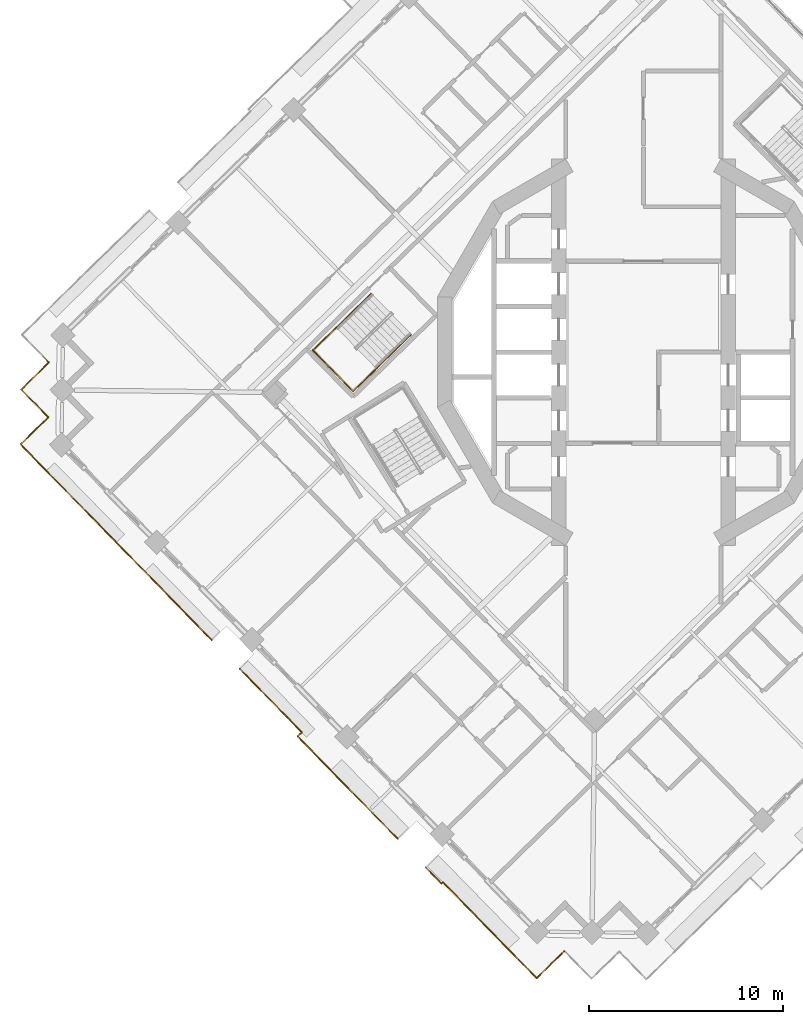
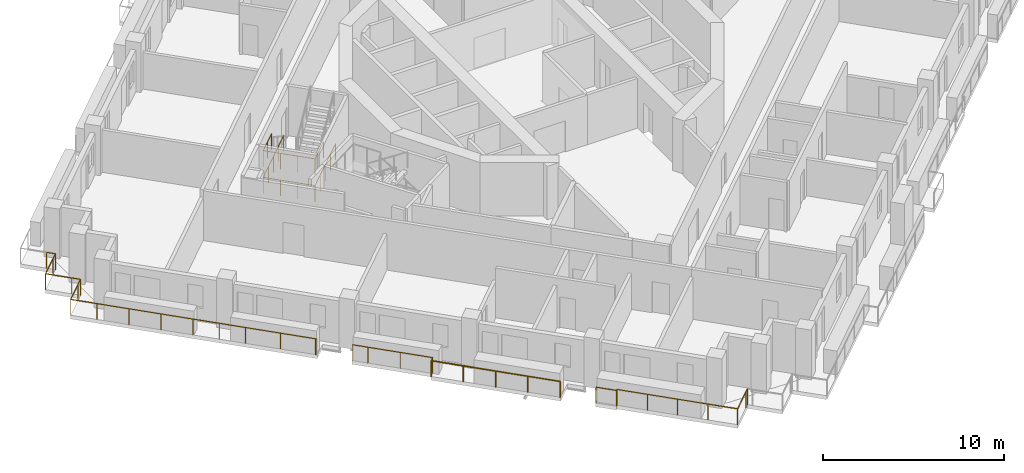
# One storey, part 15 of 20: 6 railings.
"""IFC4 building model written with IfcOpenShell, lengths in metres."""

from ifc_helpers import new_model, si_unit, direction, frame, origin, origin_2d, place, context, subcontext, project, spatial, circle, extrude, material, type_object, element, save


model = new_model("IFC4")

# Units and contexts
model_context = context("Model", 3, precision=1e-05, world=origin(), true_north=direction((0.0, 1.0)))
body_context = subcontext(model_context, "Body", "Model", "MODEL_VIEW")
ifc_project = project(units=[si_unit("LENGTHUNIT", "METRE"), si_unit("AREAUNIT", "SQUARE_METRE"), si_unit("VOLUMEUNIT", "CUBIC_METRE"), si_unit("PLANEANGLEUNIT", "RADIAN"), si_unit("MASSUNIT", "GRAM", prefix="KILO")], contexts=[model_context])

# Site, building, storey
site_placement = place(None, origin())
site = spatial("IfcSite", under=ifc_project, at=site_placement, CompositionType="ELEMENT")
building_placement = place(site_placement, origin())
building = spatial("IfcBuilding", under=site, at=building_placement, Name="Cantera Rosa Tower", CompositionType="ELEMENT")
storey_placement = place(building_placement, frame((0.0, 0.0, 212.60009765625)))
storey = spatial("IfcBuildingStorey", under=building, at=storey_placement, Name="L45", CompositionType="ELEMENT", Elevation=212.60009765625)

# Railings
ifc_material_1 = material(Name="Stainless steel and laminated glass", Category="steel")
railing_type_1 = type_object("IfcRailingType", Name="GUARD 1100", PredefinedType="BALUSTRADE", material=ifc_material_1)
railing_1_placement = place(storey_placement, frame((-17.837158203125, -19.81201171875, 0.0)))
element("IfcRailing", 1, at=railing_1_placement, inside=storey, type_object=railing_type_1, Name="GUARD L45-1", PredefinedType="BALUSTRADE", context=body_context, shape_type="SweptSolid", body=[
    extrude(circle(Radius=0.030029296875, at=origin_2d()), frame((0.0, 0.0, 1.070068359375), z_axis=(0.715095916043, 0.699026344896, 0.0), x_axis=(-0.699026344896, 0.715095916043, 0.0)), (0.0, 0.0, 1.0), 0.303955078125),
    extrude(circle(Radius=0.030029296875, at=origin_2d()), frame((0.21728515625, 0.21240234375, 1.070068359375), z_axis=(-0.698846639302, 0.715271539163, 0.0), x_axis=(-0.715271539163, -0.698846639302, 0.0)), (0.0, 0.0, 1.0), 3.716064453125),
    extrude(circle(Radius=0.030029296875, at=origin_2d()), frame((-2.379638671875, 2.870361328125, 1.070068359375), z_axis=(-0.698779602308, 0.715337030636, 0.0), x_axis=(-0.715337030636, -0.698779602308, 0.0)), (0.0, 0.0, 1.0), 0.869873046875),
    extrude(circle(Radius=0.02490234375, at=origin_2d()), origin(), (0.0, 0.0, 1.0), 1.0400390625),
    extrude(circle(Radius=0.02490234375, at=origin_2d()), frame((0.21728515625, 0.21240234375, 0.0)), (0.0, 0.0, 1.0), 1.0400390625),
    extrude(circle(Radius=0.02490234375, at=origin_2d()), frame((-1.0810546875, 1.54150390625, 0.0)), (0.0, 0.0, 1.0), 1.0400390625),
    extrude(circle(Radius=0.02490234375, at=origin_2d()), frame((-2.379638671875, 2.870361328125, 0.0)), (0.0, 0.0, 1.0), 1.0400390625),
    extrude(circle(Radius=0.02490234375, at=origin_2d()), frame((-2.987548828125, 3.49267578125, 0.0)), (0.0, 0.0, 1.0), 1.0400390625),
])
railing_2_placement = place(storey_placement, frame((-12.670166015625, -25.100830078125, 0.0)))
element("IfcRailing", 2, at=railing_2_placement, inside=storey, type_object=railing_type_1, Name="GUARD L45-2", PredefinedType="BALUSTRADE", context=body_context, shape_type="SweptSolid", body=[
    extrude(circle(Radius=0.030029296875, at=origin_2d()), frame((0.0, 0.0, 1.070068359375), z_axis=(-0.698820472892, 0.715297103774, 0.0), x_axis=(-0.715297103774, -0.698820472892, 0.0)), (0.0, 0.0, 1.0), 7.393798828125),
    extrude(circle(Radius=0.02490234375, at=origin_2d()), origin(), (0.0, 0.0, 1.0), 1.0400390625),
    extrude(circle(Radius=0.02490234375, at=origin_2d()), frame((-1.291748046875, 1.322265625, 0.0)), (0.0, 0.0, 1.0), 1.0400390625),
    extrude(circle(Radius=0.02490234375, at=origin_2d()), frame((-2.58349609375, 2.64453125, 0.0)), (0.0, 0.0, 1.0), 1.0400390625),
    extrude(circle(Radius=0.02490234375, at=origin_2d()), frame((-3.875244140625, 3.966552734375, 0.0)), (0.0, 0.0, 1.0), 1.0400390625),
    extrude(circle(Radius=0.02490234375, at=origin_2d()), frame((-5.1669921875, 5.288818359375, 0.0)), (0.0, 0.0, 1.0), 1.0400390625),
])
railing_3_placement = place(storey_placement, frame((-22.26416015625, -14.845703125, 0.0)))
element("IfcRailing", 3, at=railing_3_placement, inside=storey, type_object=railing_type_1, Name="GUARD L45-4", PredefinedType="BALUSTRADE", context=body_context, shape_type="SweptSolid", body=[
    extrude(circle(Radius=0.030029296875, at=origin_2d()), frame((0.0, 0.0, 1.070068359375), z_axis=(-0.700106234421, 0.714038696798, 0.0), x_axis=(-0.714038696798, -0.700106234421, 0.0)), (0.0, 0.0, 1.0), 0.070068359375),
    extrude(circle(Radius=0.030029296875, at=origin_2d()), frame((-0.049072265625, 0.050048828125, 1.070068359375), z_axis=(-0.698829866575, 0.715287926351, 0.0), x_axis=(-0.715287926351, -0.698829866575, 0.0)), (0.0, 0.0, 1.0), 4.02001953125),
    extrude(circle(Radius=0.030029296875, at=origin_2d()), frame((-2.8583984375, 2.925537109375, 1.070068359375), z_axis=(-0.698839281014, 0.715278728407, 0.0), x_axis=(-0.715278728407, -0.698839281014, 0.0)), (0.0, 0.0, 1.0), 3.0),
    extrude(circle(Radius=0.030029296875, at=origin_2d()), frame((-4.954833984375, 5.0712890625, 1.070068359375), z_axis=(-0.698810055914, 0.715307280652, 0.0), x_axis=(-0.715307280652, -0.698810055914, 0.0)), (0.0, 0.0, 1.0), 5.52001953125),
    extrude(circle(Radius=0.030029296875, at=origin_2d()), frame((-8.812255859375, 9.019775390625, 1.070068359375), z_axis=(-0.698921594874, 0.71519829713, 0.0), x_axis=(-0.71519829713, -0.698921594874, 0.0)), (0.0, 0.0, 1.0), 1.5),
    extrude(circle(Radius=0.030029296875, at=origin_2d()), frame((-9.860595703125, 10.092529296875, 1.070068359375), z_axis=(0.715277793538, 0.698840237873, 0.0), x_axis=(-0.698840237873, 0.715277793538, 0.0)), (0.0, 0.0, 1.0), 1.5),
    extrude(circle(Radius=0.030029296875, at=origin_2d()), frame((-8.78759765625, 11.140869140625, 1.070068359375), z_axis=(0.715359149995, 0.698756958118, 0.0), x_axis=(-0.698756958118, 0.715359149995, 0.0)), (0.0, 0.0, 1.0), 0.5),
    extrude(circle(Radius=0.030029296875, at=origin_2d()), frame((-8.429931640625, 11.490234375, 1.070068359375), z_axis=(-0.699006712162, 0.715115107065, 0.0), x_axis=(-0.715115107065, -0.699006712162, 0.0)), (0.0, 0.0, 1.0), 0.500244140625),
    extrude(circle(Radius=0.030029296875, at=origin_2d()), frame((-8.779541015625, 11.847900390625, 1.070068359375), z_axis=(-0.698756958118, 0.715359149995, 0.0), x_axis=(-0.715359149995, -0.698756958118, 0.0)), (0.0, 0.0, 1.0), 1.5),
    extrude(circle(Radius=0.030029296875, at=origin_2d()), frame((-9.82763671875, 12.9208984375, 1.070068359375), z_axis=(0.71519829713, 0.698921594874, 0.0), x_axis=(-0.698921594874, 0.71519829713, 0.0)), (0.0, 0.0, 1.0), 1.5),
    extrude(circle(Radius=0.030029296875, at=origin_2d()), frame((-8.7548828125, 13.96923828125, 1.070068359375), z_axis=(0.715359149995, 0.698756958118, 0.0), x_axis=(-0.698756958118, 0.715359149995, 0.0)), (0.0, 0.0, 1.0), 0.5),
    extrude(circle(Radius=0.030029296875, at=origin_2d()), frame((-8.397216796875, 14.318603515625, 1.070068359375), z_axis=(-0.698756958118, 0.715359149995, 0.0), x_axis=(-0.715359149995, -0.698756958118, 0.0)), (0.0, 0.0, 1.0), 0.5),
    extrude(circle(Radius=0.02490234375, at=origin_2d()), origin(), (0.0, 0.0, 1.0), 1.0400390625),
    extrude(circle(Radius=0.02490234375, at=origin_2d()), frame((-0.049072265625, 0.050048828125, 0.0)), (0.0, 0.0, 1.0), 1.0400390625),
    extrude(circle(Radius=0.02490234375, at=origin_2d()), frame((-1.45361328125, 1.48779296875, 0.0)), (0.0, 0.0, 1.0), 1.0400390625),
    extrude(circle(Radius=0.02490234375, at=origin_2d()), frame((-2.8583984375, 2.925537109375, 0.0)), (0.0, 0.0, 1.0), 1.0400390625),
    extrude(circle(Radius=0.02490234375, at=origin_2d()), frame((-3.90673828125, 3.99853515625, 0.0)), (0.0, 0.0, 1.0), 1.0400390625),
    extrude(circle(Radius=0.02490234375, at=origin_2d()), frame((-4.954833984375, 5.0712890625, 0.0)), (0.0, 0.0, 1.0), 1.0400390625),
    extrude(circle(Radius=0.02490234375, at=origin_2d()), frame((-6.24072265625, 6.387451171875, 0.0)), (0.0, 0.0, 1.0), 1.0400390625),
    extrude(circle(Radius=0.02490234375, at=origin_2d()), frame((-7.5263671875, 7.70361328125, 0.0)), (0.0, 0.0, 1.0), 1.0400390625),
    extrude(circle(Radius=0.02490234375, at=origin_2d()), frame((-8.812255859375, 9.019775390625, 0.0)), (0.0, 0.0, 1.0), 1.0400390625),
    extrude(circle(Radius=0.02490234375, at=origin_2d()), frame((-9.860595703125, 10.092529296875, 0.0)), (0.0, 0.0, 1.0), 1.0400390625),
    extrude(circle(Radius=0.02490234375, at=origin_2d()), frame((-8.78759765625, 11.140869140625, 0.0)), (0.0, 0.0, 1.0), 1.0400390625),
    extrude(circle(Radius=0.02490234375, at=origin_2d()), frame((-8.429931640625, 11.490234375, 0.0)), (0.0, 0.0, 1.0), 1.0400390625),
    extrude(circle(Radius=0.02490234375, at=origin_2d()), frame((-8.779541015625, 11.847900390625, 0.0)), (0.0, 0.0, 1.0), 1.0400390625),
    extrude(circle(Radius=0.02490234375, at=origin_2d()), frame((-9.82763671875, 12.9208984375, 0.0)), (0.0, 0.0, 1.0), 1.0400390625),
    extrude(circle(Radius=0.02490234375, at=origin_2d()), frame((-8.7548828125, 13.96923828125, 0.0)), (0.0, 0.0, 1.0), 1.0400390625),
    extrude(circle(Radius=0.02490234375, at=origin_2d()), frame((-8.397216796875, 14.318603515625, 0.0)), (0.0, 0.0, 1.0), 1.0400390625),
    extrude(circle(Radius=0.02490234375, at=origin_2d()), frame((-8.74658203125, 14.67626953125, 0.0)), (0.0, 0.0, 1.0), 1.0400390625),
])
railing_4_placement = place(storey_placement, frame((-4.072021484375, -30.890625, 0.0)))
element("IfcRailing", 4, at=railing_4_placement, inside=storey, type_object=railing_type_1, Name="GUARD L45-8", PredefinedType="BALUSTRADE", context=body_context, shape_type="SweptSolid", body=[
    extrude(circle(Radius=0.030029296875, at=origin_2d()), frame((0.0, 0.0, 1.070068359375), z_axis=(-0.715196445894, -0.698923489218, 0.0), x_axis=(0.698923489218, -0.715196445894, 0.0)), (0.0, 0.0, 1.0), 0.300048828125),
    extrude(circle(Radius=0.030029296875, at=origin_2d()), frame((-0.214599609375, -0.209716796875, 1.070068359375), z_axis=(-0.715316077832, -0.69880105094, 0.0), x_axis=(0.69880105094, -0.715316077832, 0.0)), (0.0, 0.0, 1.0), 1.699951171875),
    extrude(circle(Radius=0.030029296875, at=origin_2d()), frame((-1.4306640625, -1.397705078125, 1.070068359375), z_axis=(-0.69880105094, 0.715316077832, 0.0), x_axis=(-0.715316077832, -0.69880105094, 0.0)), (0.0, 0.0, 1.0), 1.699951171875),
    extrude(circle(Radius=0.030029296875, at=origin_2d()), frame((-2.61865234375, -0.181640625, 1.070068359375), z_axis=(-0.698820850974, 0.7152967344, 0.0), x_axis=(-0.7152967344, -0.698820850974, 0.0)), (0.0, 0.0, 1.0), 5.216064453125),
    extrude(circle(Radius=0.030029296875, at=origin_2d()), frame((-6.263671875, 3.54931640625, 1.070068359375), z_axis=(-0.715267124493, -0.698851157701, 0.0), x_axis=(0.698851157701, -0.715267124493, 0.0)), (0.0, 0.0, 1.0), 0.10400390625),
    extrude(circle(Radius=0.030029296875, at=origin_2d()), frame((-6.338134765625, 3.4765625, 1.070068359375), z_axis=(-0.698739523875, 0.715376179206, 0.0), x_axis=(-0.715376179206, -0.698739523875, 0.0)), (0.0, 0.0, 1.0), 1.174072265625),
    extrude(circle(Radius=0.02490234375, at=origin_2d()), origin(), (0.0, 0.0, 1.0), 1.0400390625),
    extrude(circle(Radius=0.02490234375, at=origin_2d()), frame((-0.214599609375, -0.209716796875, 0.0)), (0.0, 0.0, 1.0), 1.0400390625),
    extrude(circle(Radius=0.02490234375, at=origin_2d()), frame((-1.4306640625, -1.397705078125, 0.0)), (0.0, 0.0, 1.0), 1.0400390625),
    extrude(circle(Radius=0.02490234375, at=origin_2d()), frame((-2.61865234375, -0.181640625, 0.0)), (0.0, 0.0, 1.0), 1.0400390625),
    extrude(circle(Radius=0.02490234375, at=origin_2d()), frame((-3.833740234375, 1.06201171875, 0.0)), (0.0, 0.0, 1.0), 1.0400390625),
    extrude(circle(Radius=0.02490234375, at=origin_2d()), frame((-5.048583984375, 2.3056640625, 0.0)), (0.0, 0.0, 1.0), 1.0400390625),
    extrude(circle(Radius=0.02490234375, at=origin_2d()), frame((-6.263671875, 3.54931640625, 0.0)), (0.0, 0.0, 1.0), 1.0400390625),
    extrude(circle(Radius=0.02490234375, at=origin_2d()), frame((-6.338134765625, 3.4765625, 0.0)), (0.0, 0.0, 1.0), 1.0400390625),
    extrude(circle(Radius=0.02490234375, at=origin_2d()), frame((-7.158447265625, 4.31640625, 0.0)), (0.0, 0.0, 1.0), 1.0400390625),
])
ifc_material_2 = material(Name="Steel S355J2 (EN 10025-2)", Category="steel")
railing_type_2 = type_object("IfcRailingType", Name="STAIR GUARD 1100", PredefinedType="GUARDRAIL", material=ifc_material_2)
railing_5_placement = place(storey_placement, frame((-14.044921875, 3.0322265625, 0.0)))
element("IfcRailing", 5, at=railing_5_placement, inside=storey, type_object=railing_type_2, Name="L45 ST-43 stair guard 4", PredefinedType="GUARDRAIL", context=body_context, shape_type="SweptSolid", body=[
    extrude(circle(Radius=0.02392578125, at=origin_2d()), frame((0.0, 0.0, 1.076171875), z_axis=(-0.715259213566, -0.698859254364, 0.0), x_axis=(0.698859254364, -0.715259213566, 0.0)), (0.0, 0.0, 1.0), 4.197998046875),
    extrude(circle(Radius=0.02392578125, at=origin_2d()), frame((-3.002685546875, -2.933837890625, 1.076171875), z_axis=(0.698838333505, -0.715279654138, 0.0), x_axis=(0.715279654138, 0.698838333505, 0.0)), (0.0, 0.0, 1.0), 2.9697265625),
    extrude(circle(Radius=0.02392578125, at=origin_2d()), frame((-0.92724609375, -5.05810546875, 1.076171875), z_axis=(0.715288284249, 0.698829500247, 0.0), x_axis=(-0.698829500247, 0.715288284249, 0.0)), (0.0, 0.0, 1.0), 4.19775390625),
    extrude(circle(Radius=0.02099609375, at=origin_2d()), origin(), (0.0, 0.0, 1.0), 1.052001953125),
    extrude(circle(Radius=0.02099609375, at=origin_2d()), frame((-0.750732421875, -0.7333984375, 0.0)), (0.0, 0.0, 1.0), 1.052001953125),
    extrude(circle(Radius=0.02099609375, at=origin_2d()), frame((-1.50146484375, -1.466796875, 0.0)), (0.0, 0.0, 1.0), 1.052001953125),
    extrude(circle(Radius=0.02099609375, at=origin_2d()), frame((-2.251953125, -2.200439453125, 0.0)), (0.0, 0.0, 1.0), 1.052001953125),
    extrude(circle(Radius=0.02099609375, at=origin_2d()), frame((-3.002685546875, -2.933837890625, 0.0)), (0.0, 0.0, 1.0), 1.052001953125),
    extrude(circle(Radius=0.02099609375, at=origin_2d()), frame((-2.310791015625, -3.641845703125, 0.0)), (0.0, 0.0, 1.0), 1.052001953125),
    extrude(circle(Radius=0.02099609375, at=origin_2d()), frame((-1.619140625, -4.35009765625, 0.0)), (0.0, 0.0, 1.0), 1.052001953125),
    extrude(circle(Radius=0.02099609375, at=origin_2d()), frame((-0.92724609375, -5.05810546875, 0.0)), (0.0, 0.0, 1.0), 1.052001953125),
    extrude(circle(Radius=0.02099609375, at=origin_2d()), frame((-0.176513671875, -4.32470703125, 0.0)), (0.0, 0.0, 1.0), 1.052001953125),
    extrude(circle(Radius=0.02099609375, at=origin_2d()), frame((0.57421875, -3.59130859375, 0.0)), (0.0, 0.0, 1.0), 1.052001953125),
    extrude(circle(Radius=0.02099609375, at=origin_2d()), frame((1.32470703125, -2.85791015625, 0.0)), (0.0, 0.0, 1.0), 1.052001953125),
    extrude(circle(Radius=0.02099609375, at=origin_2d()), frame((2.075439453125, -2.12451171875, 0.0)), (0.0, 0.0, 1.0), 1.052001953125),
])
railing_6_placement = place(storey_placement, frame((-15.830322265625, 1.287841796875, 1.7998046875)))
element("IfcRailing", 6, at=railing_6_placement, inside=storey, type_object=railing_type_2, Name="L45 ST-43 stair guard 5", PredefinedType="GUARDRAIL", context=body_context, shape_type="SweptSolid", body=[
    extrude(circle(Radius=0.02392578125, at=origin_2d()), frame((0.0, 0.0, 1.076171875), z_axis=(-0.715236090757, -0.698882919007, 0.0), x_axis=(0.698882919007, -0.715236090757, 0.0)), (0.0, 0.0, 1.0), 1.701904296875),
    extrude(circle(Radius=0.02392578125, at=origin_2d()), frame((-1.21728515625, -1.189453125, 1.076171875), z_axis=(0.698838333505, -0.715279654138, 0.0), x_axis=(0.715279654138, 0.698838333505, 0.0)), (0.0, 0.0, 1.0), 2.9697265625),
    extrude(circle(Radius=0.02392578125, at=origin_2d()), frame((0.858154296875, -3.313720703125, 1.076171875), z_axis=(0.715236090757, 0.698882919007, 0.0), x_axis=(-0.698882919007, 0.715236090757, 0.0)), (0.0, 0.0, 1.0), 1.701904296875),
    extrude(circle(Radius=0.02099609375, at=origin_2d()), origin(), (0.0, 0.0, 1.0), 1.052001953125),
    extrude(circle(Radius=0.02099609375, at=origin_2d()), frame((-0.608642578125, -0.5947265625, 0.0)), (0.0, 0.0, 1.0), 1.052001953125),
    extrude(circle(Radius=0.02099609375, at=origin_2d()), frame((-1.21728515625, -1.189453125, 0.0)), (0.0, 0.0, 1.0), 1.052001953125),
    extrude(circle(Radius=0.02099609375, at=origin_2d()), frame((-0.525390625, -1.8974609375, 0.0)), (0.0, 0.0, 1.0), 1.052001953125),
    extrude(circle(Radius=0.02099609375, at=origin_2d()), frame((0.166259765625, -2.605712890625, 0.0)), (0.0, 0.0, 1.0), 1.052001953125),
    extrude(circle(Radius=0.02099609375, at=origin_2d()), frame((0.858154296875, -3.313720703125, 0.0)), (0.0, 0.0, 1.0), 1.052001953125),
    extrude(circle(Radius=0.02099609375, at=origin_2d()), frame((1.466796875, -2.718994140625, 0.0)), (0.0, 0.0, 1.0), 1.052001953125),
    extrude(circle(Radius=0.02099609375, at=origin_2d()), frame((2.075439453125, -2.124267578125, 0.0)), (0.0, 0.0, 1.0), 1.052001953125),
])

save(model, "model.ifc")
